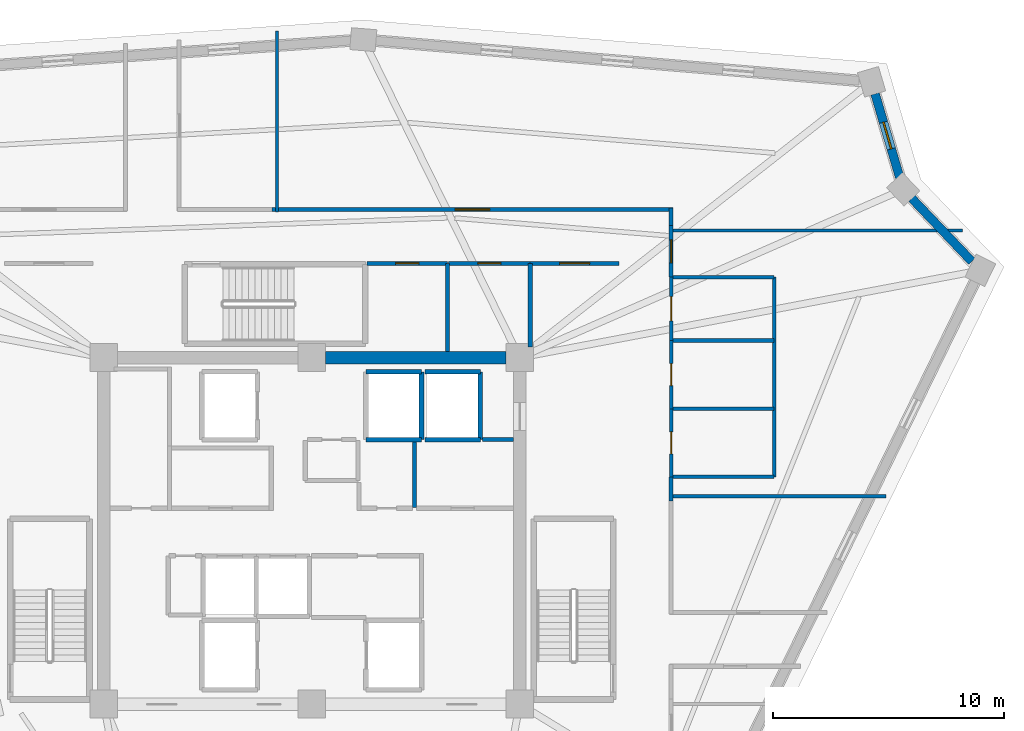
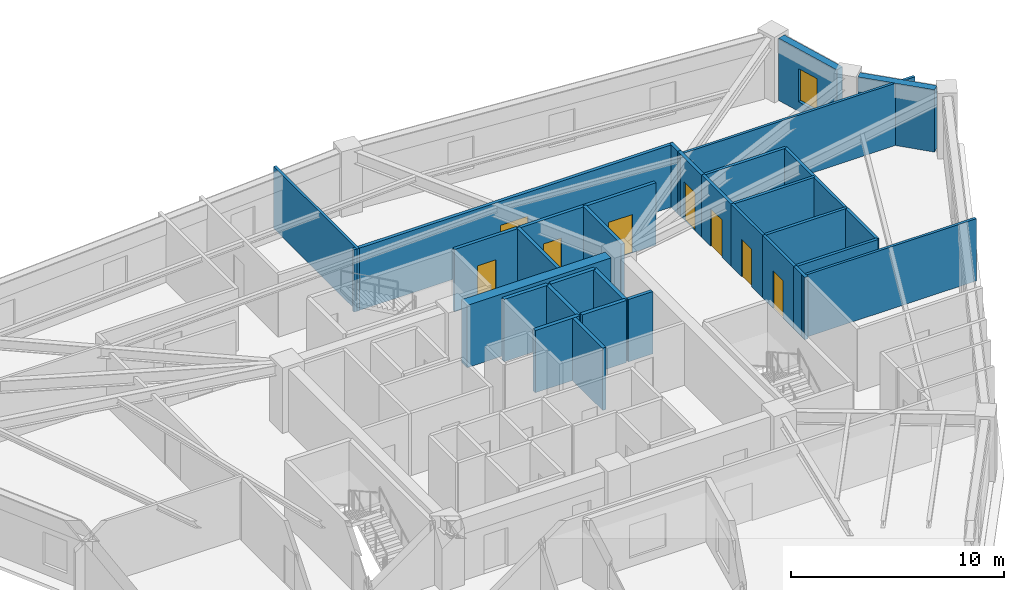
# One storey, part 6 of 10: 31 walls, 8 doors, 1 window, 9 openings.
"""IFC4 building model written with IfcOpenShell, lengths in metres."""

from ifc_helpers import new_model, si_unit, direction, frame, frame_2d, origin, place, context, subcontext, project, spatial, rectangle, extrude, source, transform, mapped, material, layer, layer_set, type_object, element, fill, save


model = new_model("IFC4")

# Units and contexts
model_context = context("Model", 3, precision=1e-05, world=origin(), true_north=direction((0.0, 1.0)))
body_context = subcontext(model_context, "Body", "Model", "MODEL_VIEW")
ifc_project = project(units=[si_unit("LENGTHUNIT", "METRE"), si_unit("AREAUNIT", "SQUARE_METRE"), si_unit("VOLUMEUNIT", "CUBIC_METRE"), si_unit("PLANEANGLEUNIT", "RADIAN"), si_unit("MASSUNIT", "GRAM", prefix="KILO")], contexts=[model_context])

# Site, building, storey
site_placement = place(None, origin())
site = spatial("IfcSite", under=ifc_project, at=site_placement, CompositionType="ELEMENT")
building_placement = place(site_placement, origin())
building = spatial("IfcBuilding", under=site, at=building_placement, Name="Liaohun Quay Tower", CompositionType="ELEMENT")
storey_placement = place(building_placement, frame((0.0, 0.0, 339.75)))
storey = spatial("IfcBuildingStorey", under=building, at=storey_placement, Name="L88", CompositionType="ELEMENT", Elevation=339.75)

# Walls
ifc_material_1 = material(Name="Concrete C50", Category="concrete")
ifc_layer_1 = layer(ifc_material_1, 0.550048828125, Name="Concrete C50", Category="concrete")
ifc_layer_set_1 = layer_set([ifc_layer_1], Name="Concrete C50")
wall_type_1 = type_object("IfcWallType", Name="WAL-COR-Z4", PredefinedType="SHEAR", material=ifc_layer_set_1)
wall_1_placement = place(storey_placement, frame((60.60009765625, 61.5, 0.0), z_axis=(0.0, 0.0, 1.0), x_axis=(1.0, 0.0, 0.0)))
element("IfcWall", 1, at=wall_1_placement, inside=storey, type_object=wall_type_1, Name="L88 Central Core Shear Wall N-E", PredefinedType="SHEAR", context=body_context, shape_type="SweptSolid", body=[
    extrude(rectangle(XDim=7.7998046875, YDim=0.550048828125, at=frame_2d((3.89990234375, 0.0))), origin(), (0.0, 0.0, 1.0), 3.570068359375),
])
ifc_material_2 = material(Name="Precast concrete C50 insulated sandwich", Category="concrete")
ifc_layer_2 = layer(ifc_material_2, 0.3798828125, Name="Precast concrete C50 insulated sandwich", Category="concrete")
ifc_layer_set_2 = layer_set([ifc_layer_2], Name="Precast concrete C50 insulated sandwich")
wall_type_2 = type_object("IfcWallType", Name="WAL-EXT-Z34", PredefinedType="SOLIDWALL", material=ifc_layer_set_2)
wall_2_placement = place(storey_placement, frame((88.573974609375, 65.6669921875, 0.0), z_axis=(0.0, 0.0, 1.0), x_axis=(-0.689475358223, 0.72430914008, 0.0)))
element("IfcWall", 2, at=wall_2_placement, inside=storey, type_object=wall_type_2, Name="L88 Brutalist Precast Pier Wall 04", PredefinedType="SOLIDWALL", context=body_context, shape_type="SweptSolid", body=[
    extrude(rectangle(XDim=3.763671875, YDim=0.3798828125, at=frame_2d((1.8818359375, 0.0))), origin(), (0.0, 0.0, 1.0), 3.570068359375),
])

# Wall, opening, window
wall_3_placement = place(storey_placement, frame((85.4541015625, 69.302001953125, 0.0), z_axis=(0.0, 0.0, 1.0), x_axis=(-0.282670922676, 0.95921694599, 0.0)))
wall_3 = element("IfcWall", 3, at=wall_3_placement, inside=storey, type_object=wall_type_2, Name="L88 Brutalist Precast Pier Wall 05", PredefinedType="SOLIDWALL", context=body_context, shape_type="SweptSolid", body=[
    extrude(rectangle(XDim=3.771728515625, YDim=0.3798828125, at=frame_2d((1.8857421875, 0.0))), origin(), (0.0, 0.0, 1.0), 3.570068359375),
])
shared_shape_1 = source(origin(), body_context, "Body", "SweptSolid", [
    extrude(rectangle(XDim=1.199951171875, YDim=1.89990234375, at=frame_2d((0.60009765625, 0.949951171875))), frame((0.0, 0.199951171875, 0.0), z_axis=(0.0, -1.0, 0.0), x_axis=(1.0, 0.0, 0.0)), (0.0, 0.0, 1.0), 0.39990234375),
])
opening_1_placement = place(wall_3_placement, frame((1.285888671875, 0.0, 0.550048828125)))
opening_1 = element("IfcOpeningElement", 4, at=opening_1_placement, cuts=wall_3, Name="Opening W05", PredefinedType="OPENING", context=body_context, shape_type="MappedRepresentation", body=[
    mapped(shared_shape_1, transform((0.0, 0.0, 0.0), x_axis=(1.0, 0.0, 0.0), y_axis=(0.0, 1.0, 0.0), z_axis=(0.0, 0.0, 1.0), scale=1.0)),
])
ifc_material_3 = material(Name="Triple Low-E corner notch glazing", Category="glass")
window_type = type_object("IfcWindowType", Name="WIN-NOTCH", PartitioningType="SINGLE_PANEL", PredefinedType="WINDOW", material=ifc_material_3)
shared_shape_2 = source(origin(), body_context, "Body", "SweptSolid", [
    extrude(rectangle(XDim=1.199951171875, YDim=1.89990234375, at=frame_2d((0.60009765625, 0.949951171875))), frame((0.0, 0.030029296875, 0.0), z_axis=(0.0, -1.0, 0.0), x_axis=(1.0, 0.0, 0.0)), (0.0, 0.0, 1.0), 0.06005859375),
])
window_placement = place(opening_1_placement, origin())
window = element("IfcWindow", 5, at=window_placement, inside=storey, type_object=window_type, Name="L88 Corner Notch Window W05-05", OverallHeight=1.89990234375, OverallWidth=1.199951171875, PartitioningType="SINGLE_PANEL", PredefinedType="WINDOW", context=body_context, shape_type="MappedRepresentation", body=[
    mapped(shared_shape_2, transform((0.0, 0.0, 0.0), x_axis=(1.0, 0.0, 0.0), y_axis=(0.0, 1.0, 0.0), z_axis=(0.0, 0.0, 1.0), scale=1.0)),
])
fill(opening_1, window)

# Wall, opening, door
ifc_material_4 = material(Name="Autoclaved aerated concrete blockwork", Category="masonry")
ifc_layer_3 = layer(ifc_material_4, 0.179931640625, Name="Autoclaved aerated concrete blockwork", Category="masonry")
ifc_layer_set_3 = layer_set([ifc_layer_3], Name="Autoclaved aerated concrete blockwork")
wall_type_3 = type_object("IfcWallType", Name="WAL-PRT-COR", PredefinedType="PARTITIONING", material=ifc_layer_set_3)
wall_4_placement = place(storey_placement, frame((62.389892578125, 65.580078125, 0.0), z_axis=(0.0, 0.0, 1.0), x_axis=(1.0, 0.0, 0.0)))
wall_4 = element("IfcWall", 6, at=wall_4_placement, inside=storey, type_object=wall_type_3, Name="L88 Interior Partition Wall 011", PredefinedType="PARTITIONING", context=body_context, shape_type="SweptSolid", body=[
    extrude(rectangle(XDim=3.489990234375, YDim=0.179931640625, at=frame_2d((1.7451171875, 0.0))), origin(), (0.0, 0.0, 1.0), 3.570068359375),
])
shared_shape_3 = source(origin(), body_context, "Body", "SweptSolid", [
    extrude(rectangle(XDim=1.0, YDim=2.199951171875, at=frame_2d((0.5, 1.10009765625))), frame((0.0, 0.099853515625, 0.0), z_axis=(0.0, -1.0, 0.0), x_axis=(1.0, 0.0, 0.0)), (0.0, 0.0, 1.0), 0.199951171875),
])
opening_2_placement = place(wall_4_placement, frame((1.2451171875, 0.0, 0.0)))
opening_2 = element("IfcOpeningElement", 7, at=opening_2_placement, cuts=wall_4, Name="Opening OD1", PredefinedType="OPENING", context=body_context, shape_type="MappedRepresentation", body=[
    mapped(shared_shape_3, transform((0.0, 0.0, 0.0), x_axis=(1.0, 0.0, 0.0), y_axis=(0.0, 1.0, 0.0), z_axis=(0.0, 0.0, 1.0), scale=1.0)),
])
ifc_material_5 = material(Name="Solid-core oak veneer timber leaf in steel frame", Category="steel")
door_type_1 = type_object("IfcDoorType", Name="DOR-OFF-1000", OperationType="NOTDEFINED", PredefinedType="DOOR", material=ifc_material_5)
shared_shape_4 = source(origin(), body_context, "Body", "SweptSolid", [
    extrude(rectangle(XDim=1.0, YDim=2.199951171875, at=frame_2d((0.5, 1.10009765625))), frame((0.0, 0.02490234375, 0.0), z_axis=(0.0, -1.0, 0.0), x_axis=(1.0, 0.0, 0.0)), (0.0, 0.0, 1.0), 0.050048828125),
])
door_1_placement = place(opening_2_placement, origin())
door_1 = element("IfcDoor", 8, at=door_1_placement, inside=storey, type_object=door_type_1, Name="L88 North-East Archive Store Door", OperationType="SINGLE_SWING_RIGHT", OverallHeight=2.199951171875, OverallWidth=1.0, PredefinedType="DOOR", context=body_context, shape_type="MappedRepresentation", body=[
    mapped(shared_shape_4, transform((0.0, 0.0, 0.0), x_axis=(1.0, 0.0, 0.0), y_axis=(0.0, 1.0, 0.0), z_axis=(0.0, 0.0, 1.0), scale=1.0)),
])
fill(opening_2, door_1)

wall_5_placement = place(storey_placement, frame((65.919921875, 65.580078125, 0.0), z_axis=(0.0, 0.0, 1.0), x_axis=(1.0, 0.0, 0.0)))
wall_5 = element("IfcWall", 9, at=wall_5_placement, inside=storey, type_object=wall_type_3, Name="L88 Interior Partition Wall 012", PredefinedType="PARTITIONING", context=body_context, shape_type="SweptSolid", body=[
    extrude(rectangle(XDim=3.5400390625, YDim=0.179931640625, at=frame_2d((1.77001953125, 0.0))), origin(), (0.0, 0.0, 1.0), 3.570068359375),
])
opening_3_placement = place(wall_5_placement, frame((1.27001953125, 0.0, 0.0)))
opening_3 = element("IfcOpeningElement", 10, at=opening_3_placement, cuts=wall_5, Name="Opening OD1", PredefinedType="OPENING", context=body_context, shape_type="MappedRepresentation", body=[
    mapped(shared_shape_3, transform((0.0, 0.0, 0.0), x_axis=(1.0, 0.0, 0.0), y_axis=(0.0, 1.0, 0.0), z_axis=(0.0, 0.0, 1.0), scale=1.0)),
])
door_2_placement = place(opening_3_placement, origin())
door_2 = element("IfcDoor", 11, at=door_2_placement, inside=storey, type_object=door_type_1, Name="L88 North-East Pantry Room Door", OperationType="SINGLE_SWING_LEFT", OverallHeight=2.199951171875, OverallWidth=1.0, PredefinedType="DOOR", context=body_context, shape_type="MappedRepresentation", body=[
    mapped(shared_shape_4, transform((0.0, 0.0, 0.0), x_axis=(1.0, 0.0, 0.0), y_axis=(0.0, 1.0, 0.0), z_axis=(0.0, 0.0, 1.0), scale=1.0)),
])
fill(opening_3, door_2)

wall_6_placement = place(storey_placement, frame((69.4599609375, 65.580078125, 0.0), z_axis=(0.0, 0.0, 1.0), x_axis=(1.0, 0.0, 0.0)))
wall_6 = element("IfcWall", 12, at=wall_6_placement, inside=storey, type_object=wall_type_3, Name="L88 Interior Partition Wall 014", PredefinedType="PARTITIONING", context=body_context, shape_type="SweptSolid", body=[
    extrude(rectangle(XDim=3.840087890625, YDim=0.179931640625, at=frame_2d((1.919921875, 0.0))), origin(), (0.0, 0.0, 1.0), 3.570068359375),
])
shared_shape_5 = source(origin(), body_context, "Body", "SweptSolid", [
    extrude(rectangle(XDim=1.300048828125, YDim=2.199951171875, at=frame_2d((0.64990234375, 1.10009765625))), frame((0.0, 0.099853515625, 0.0), z_axis=(0.0, -1.0, 0.0), x_axis=(1.0, 0.0, 0.0)), (0.0, 0.0, 1.0), 0.199951171875),
])
opening_4_placement = place(wall_6_placement, frame((1.27001953125, 0.0, 0.0)))
opening_4 = element("IfcOpeningElement", 13, at=opening_4_placement, cuts=wall_6, Name="Opening FD1", PredefinedType="OPENING", context=body_context, shape_type="MappedRepresentation", body=[
    mapped(shared_shape_5, transform((0.0, 0.0, 0.0), x_axis=(1.0, 0.0, 0.0), y_axis=(0.0, 1.0, 0.0), z_axis=(0.0, 0.0, 1.0), scale=1.0)),
])
ifc_material_6 = material(Name="Galvanised steel smokeproof fire door", Category="steel")
door_type_2 = type_object("IfcDoorType", Name="DOR-FFL-1300", OperationType="NOTDEFINED", PredefinedType="DOOR", material=ifc_material_6)
shared_shape_6 = source(origin(), body_context, "Body", "SweptSolid", [
    extrude(rectangle(XDim=1.300048828125, YDim=2.199951171875, at=frame_2d((0.64990234375, 1.10009765625))), frame((0.0, 0.02490234375, 0.0), z_axis=(0.0, -1.0, 0.0), x_axis=(1.0, 0.0, 0.0)), (0.0, 0.0, 1.0), 0.050048828125),
])
door_3_placement = place(opening_4_placement, origin())
door_3 = element("IfcDoor", 14, at=door_3_placement, inside=storey, type_object=door_type_2, Name="L88 East Core Vestibule Door", OperationType="SINGLE_SWING_LEFT", OverallHeight=2.199951171875, OverallWidth=1.300048828125, PredefinedType="DOOR", context=body_context, shape_type="MappedRepresentation", body=[
    mapped(shared_shape_6, transform((0.0, 0.0, 0.0), x_axis=(1.0, 0.0, 0.0), y_axis=(0.0, 1.0, 0.0), z_axis=(0.0, 0.0, 1.0), scale=1.0)),
])
fill(opening_4, door_3)

wall_7_placement = place(storey_placement, frame((75.56005859375, 67.215087890625, 0.0), z_axis=(0.0, 0.0, 1.0), x_axis=(0.0, -1.0, 0.0)))
wall_7 = element("IfcWall", 15, at=wall_7_placement, inside=storey, type_object=wall_type_3, Name="L88 Interior Partition Wall 015", PredefinedType="PARTITIONING", context=body_context, shape_type="SweptSolid", body=[
    extrude(rectangle(XDim=2.235107421875, YDim=0.179931640625, at=frame_2d((1.11767578125, 0.0))), origin(), (0.0, 0.0, 1.0), 3.570068359375),
])
opening_5_placement = place(wall_7_placement, frame((0.616943359375, 0.0, 0.0)))
opening_5 = element("IfcOpeningElement", 16, at=opening_5_placement, cuts=wall_7, Name="Opening OD1", PredefinedType="OPENING", context=body_context, shape_type="MappedRepresentation", body=[
    mapped(shared_shape_3, transform((0.0, 0.0, 0.0), x_axis=(1.0, 0.0, 0.0), y_axis=(0.0, 1.0, 0.0), z_axis=(0.0, 0.0, 1.0), scale=1.0)),
])
door_4_placement = place(opening_5_placement, origin())
door_4 = element("IfcDoor", 17, at=door_4_placement, inside=storey, type_object=door_type_1, Name="L88 Client Collaboration Lounge 01 Door", OperationType="SINGLE_SWING_RIGHT", OverallHeight=2.199951171875, OverallWidth=1.0, PredefinedType="DOOR", context=body_context, shape_type="MappedRepresentation", body=[
    mapped(shared_shape_4, transform((0.0, 0.0, 0.0), x_axis=(1.0, 0.0, 0.0), y_axis=(0.0, 1.0, 0.0), z_axis=(0.0, 0.0, 1.0), scale=1.0)),
])
fill(opening_5, door_4)

wall_8_placement = place(storey_placement, frame((58.284912109375, 67.909912109375, 0.0), z_axis=(0.0, 0.0, 1.0), x_axis=(1.0, 0.0, 0.0)))
wall_8 = element("IfcWall", 18, at=wall_8_placement, inside=storey, type_object=wall_type_3, Name="L88 Interior Partition Wall 016", PredefinedType="PARTITIONING", context=body_context, shape_type="SweptSolid", body=[
    extrude(rectangle(XDim=17.344970703125, YDim=0.179931640625, at=frame_2d((8.67236328125, 0.0))), origin(), (0.0, 0.0, 1.0), 3.570068359375),
])
shared_shape_7 = source(origin(), body_context, "Body", "SweptSolid", [
    extrude(rectangle(XDim=1.5, YDim=2.199951171875, at=frame_2d((0.75, 1.10009765625))), frame((0.0, 0.099853515625, 0.0), z_axis=(0.0, -1.0, 0.0), x_axis=(1.0, 0.0, 0.0)), (0.0, 0.0, 1.0), 0.199951171875),
])
opening_6_placement = place(wall_8_placement, frame((7.922119140625, 0.0, 0.0)))
opening_6 = element("IfcOpeningElement", 19, at=opening_6_placement, cuts=wall_8, Name="Opening OD2", PredefinedType="OPENING", context=body_context, shape_type="MappedRepresentation", body=[
    mapped(shared_shape_7, transform((0.0, 0.0, 0.0), x_axis=(1.0, 0.0, 0.0), y_axis=(0.0, 1.0, 0.0), z_axis=(0.0, 0.0, 1.0), scale=1.0)),
])
ifc_material_7 = material(Name="Acoustic oak veneer double door")
door_type_3 = type_object("IfcDoorType", Name="DOR-OFF-1500", OperationType="DOUBLE_DOOR_SINGLE_SWING", PredefinedType="DOOR", material=ifc_material_7)
shared_shape_8 = source(origin(), body_context, "Body", "SweptSolid", [
    extrude(rectangle(XDim=1.5, YDim=2.199951171875, at=frame_2d((0.75, 1.10009765625))), frame((0.0, 0.02490234375, 0.0), z_axis=(0.0, -1.0, 0.0), x_axis=(1.0, 0.0, 0.0)), (0.0, 0.0, 1.0), 0.050048828125),
])
door_5_placement = place(opening_6_placement, origin())
door_5 = element("IfcDoor", 20, at=door_5_placement, inside=storey, type_object=door_type_3, Name="L88 Corporate Exhibition Gallery 02 Door", OperationType="DOUBLE_DOOR_SINGLE_SWING", OverallHeight=2.199951171875, OverallWidth=1.5, PredefinedType="DOOR", context=body_context, shape_type="MappedRepresentation", body=[
    mapped(shared_shape_8, transform((0.0, 0.0, 0.0), x_axis=(1.0, 0.0, 0.0), y_axis=(0.0, 1.0, 0.0), z_axis=(0.0, 0.0, 1.0), scale=1.0)),
])
fill(opening_6, door_5)

# Walls
wall_9_placement = place(storey_placement, frame((64.449951171875, 55.02001953125, 0.0), z_axis=(0.0, 0.0, 1.0), x_axis=(0.0, 1.0, 0.0)))
element("IfcWall", 21, at=wall_9_placement, inside=storey, type_object=wall_type_3, Name="L88 Interior Partition Wall 026", PredefinedType="PARTITIONING", context=body_context, shape_type="SweptSolid", body=[
    extrude(rectangle(XDim=2.85986328125, YDim=0.179931640625, at=frame_2d((1.429931640625, 0.0))), origin(), (0.0, 0.0, 1.0), 3.570068359375),
])
wall_10_placement = place(storey_placement, frame((65.8798828125, 61.77490234375, 0.0), z_axis=(0.0, 0.0, 1.0), x_axis=(0.0, 1.0, 0.0)))
element("IfcWall", 22, at=wall_10_placement, inside=storey, type_object=wall_type_3, Name="L88 Interior Partition Wall 037", PredefinedType="PARTITIONING", context=body_context, shape_type="SweptSolid", body=[
    extrude(rectangle(XDim=3.80517578125, YDim=0.179931640625, at=frame_2d((1.902587890625, 0.0))), origin(), (0.0, 0.0, 1.0), 3.570068359375),
])
wall_11_placement = place(storey_placement, frame((69.4599609375, 61.949951171875, 0.0), z_axis=(0.0, 0.0, 1.0), x_axis=(0.0, 1.0, 0.0)))
element("IfcWall", 23, at=wall_11_placement, inside=storey, type_object=wall_type_3, Name="L88 Interior Partition Wall 038", PredefinedType="PARTITIONING", context=body_context, shape_type="SweptSolid", body=[
    extrude(rectangle(XDim=3.630126953125, YDim=0.179931640625, at=frame_2d((1.81494140625, 0.0))), origin(), (0.0, 0.0, 1.0), 3.570068359375),
])
wall_12_placement = place(storey_placement, frame((75.56005859375, 56.340087890625, 0.0), z_axis=(0.0, 0.0, 1.0), x_axis=(0.0, -1.0, 0.0)))
element("IfcWall", 24, at=wall_12_placement, inside=storey, type_object=wall_type_3, Name="L88 Interior Partition Wall 039", PredefinedType="PARTITIONING", context=body_context, shape_type="SweptSolid", body=[
    extrude(rectangle(XDim=1.05517578125, YDim=0.179931640625, at=frame_2d((0.527587890625, 0.0))), origin(), (0.0, 0.0, 1.0), 3.570068359375),
])
wall_13_placement = place(storey_placement, frame((75.56005859375, 67.97998046875, 0.0), z_axis=(0.0, 0.0, 1.0), x_axis=(0.0, -1.0, 0.0)))
element("IfcWall", 25, at=wall_13_placement, inside=storey, type_object=wall_type_3, Name="L88 Interior Partition Wall 040", PredefinedType="PARTITIONING", context=body_context, shape_type="SweptSolid", body=[
    extrude(rectangle(XDim=0.764892578125, YDim=0.179931640625, at=frame_2d((0.38232421875, 0.0))), origin(), (0.0, 0.0, 1.0), 3.570068359375),
])
wall_14_placement = place(storey_placement, frame((67.39990234375, 57.949951171875, 0.0), z_axis=(0.0, 0.0, 1.0), x_axis=(1.0, 0.0, 0.0)))
element("IfcWall", 26, at=wall_14_placement, inside=storey, type_object=wall_type_3, Name="L88 Interior Partition Wall 066", PredefinedType="PARTITIONING", context=body_context, shape_type="SweptSolid", body=[
    extrude(rectangle(XDim=1.3251953125, YDim=0.179931640625, at=frame_2d((0.66259765625, 0.0))), origin(), (0.0, 0.0, 1.0), 3.570068359375),
])
ifc_material_8 = material(Name="Gypsum board on twin steel studs", Category="steel")
ifc_layer_4 = layer(ifc_material_8, 0.139892578125, Name="Gypsum board on twin steel studs", Category="steel")
ifc_layer_set_4 = layer_set([ifc_layer_4], Name="Gypsum board on twin steel studs")
wall_type_4 = type_object("IfcWallType", Name="WAL-PRT-OFF", PredefinedType="PARTITIONING", material=ifc_layer_set_4)
wall_15_placement = place(storey_placement, frame((75.4599609375, 55.5, 0.0), z_axis=(0.0, 0.0, 1.0), x_axis=(1.0, 0.0, 0.0)))
element("IfcWall", 27, at=wall_15_placement, inside=storey, type_object=wall_type_4, Name="L88 Interior Partition Wall 054", PredefinedType="PARTITIONING", context=body_context, shape_type="SweptSolid", body=[
    extrude(rectangle(XDim=9.41015625, YDim=0.139892578125, at=frame_2d((4.705078125, 0.0))), origin(), (0.0, 0.0, 1.0), 3.570068359375),
])
wall_16_placement = place(storey_placement, frame((75.4599609375, 67.0, 0.0), z_axis=(0.0, 0.0, 1.0), x_axis=(1.0, 0.0, 0.0)))
element("IfcWall", 28, at=wall_16_placement, inside=storey, type_object=wall_type_4, Name="L88 Interior Partition Wall 055", PredefinedType="PARTITIONING", context=body_context, shape_type="SweptSolid", body=[
    extrude(rectangle(XDim=12.715087890625, YDim=0.139892578125, at=frame_2d((6.357421875, 0.0))), origin(), (0.0, 0.0, 1.0), 3.570068359375),
])
wall_17_placement = place(storey_placement, frame((58.5, 67.81005859375, 0.0), z_axis=(0.0, 0.0, 1.0), x_axis=(0.0, 1.0, 0.0)))
element("IfcWall", 29, at=wall_17_placement, inside=storey, type_object=wall_type_4, Name="L88 Interior Partition Wall 056", PredefinedType="PARTITIONING", context=body_context, shape_type="SweptSolid", body=[
    extrude(rectangle(XDim=7.825927734375, YDim=0.139892578125, at=frame_2d((3.9130859375, 0.0))), origin(), (0.0, 0.0, 1.0), 3.570068359375),
])

# Wall, opening, door
ifc_material_9 = material(Name="Moisture-resistant masonry blockwork", Category="masonry")
ifc_layer_5 = layer(ifc_material_9, 0.159912109375, Name="Moisture-resistant masonry blockwork", Category="masonry")
ifc_layer_set_5 = layer_set([ifc_layer_5], Name="Moisture-resistant masonry blockwork")
wall_type_5 = type_object("IfcWallType", Name="WAL-PRT-WET", PredefinedType="PARTITIONING", material=ifc_layer_set_5)
wall_18_placement = place(storey_placement, frame((75.56005859375, 56.340087890625, 0.0), z_axis=(0.0, 0.0, 1.0), x_axis=(0.0, 1.0, 0.0)))
wall_18 = element("IfcWall", 30, at=wall_18_placement, inside=storey, type_object=wall_type_5, Name="L88 Interior Partition Wall 008", PredefinedType="PARTITIONING", context=body_context, shape_type="SweptSolid", body=[
    extrude(rectangle(XDim=2.93994140625, YDim=0.159912109375, at=frame_2d((1.469970703125, 0.0))), origin(), (0.0, 0.0, 1.0), 3.570068359375),
])
shared_shape_9 = source(origin(), body_context, "Body", "SweptSolid", [
    extrude(rectangle(XDim=0.949951171875, YDim=2.14990234375, at=frame_2d((0.47509765625, 1.074951171875))), frame((0.0, 0.08984375, 0.0), z_axis=(0.0, -1.0, 0.0), x_axis=(1.0, 0.0, 0.0)), (0.0, 0.0, 1.0), 0.179931640625),
])
opening_7_placement = place(wall_18_placement, frame((0.9951171875, 0.0, 0.0)))
opening_7 = element("IfcOpeningElement", 31, at=opening_7_placement, cuts=wall_18, Name="Opening WD1", PredefinedType="OPENING", context=body_context, shape_type="MappedRepresentation", body=[
    mapped(shared_shape_9, transform((0.0, 0.0, 0.0), x_axis=(1.0, 0.0, 0.0), y_axis=(0.0, 1.0, 0.0), z_axis=(0.0, 0.0, 1.0), scale=1.0)),
])
ifc_material_10 = material(Name="Moisture-resistant laminate timber leaf", Category="wood")
door_type_4 = type_object("IfcDoorType", Name="DOR-WC-950", OperationType="NOTDEFINED", PredefinedType="DOOR", material=ifc_material_10)
shared_shape_10 = source(origin(), body_context, "Body", "SweptSolid", [
    extrude(rectangle(XDim=0.949951171875, YDim=2.14990234375, at=frame_2d((0.47509765625, 1.074951171875))), frame((0.0, 0.02490234375, 0.0), z_axis=(0.0, -1.0, 0.0), x_axis=(1.0, 0.0, 0.0)), (0.0, 0.0, 1.0), 0.050048828125),
])
door_6_placement = place(opening_7_placement, origin())
door_6 = element("IfcDoor", 32, at=door_6_placement, inside=storey, type_object=door_type_4, Name="L88 Male Restroom WC Door", OperationType="SINGLE_SWING_LEFT", OverallHeight=2.14990234375, OverallWidth=0.949951171875, PredefinedType="DOOR", context=body_context, shape_type="MappedRepresentation", body=[
    mapped(shared_shape_10, transform((0.0, 0.0, 0.0), x_axis=(1.0, 0.0, 0.0), y_axis=(0.0, 1.0, 0.0), z_axis=(0.0, 0.0, 1.0), scale=1.0)),
])
fill(opening_7, door_6)

wall_19_placement = place(storey_placement, frame((75.56005859375, 59.280029296875, 0.0), z_axis=(0.0, 0.0, 1.0), x_axis=(0.0, 1.0, 0.0)))
wall_19 = element("IfcWall", 33, at=wall_19_placement, inside=storey, type_object=wall_type_5, Name="L88 Interior Partition Wall 009", PredefinedType="PARTITIONING", context=body_context, shape_type="SweptSolid", body=[
    extrude(rectangle(XDim=2.9599609375, YDim=0.159912109375, at=frame_2d((1.47998046875, 0.0))), origin(), (0.0, 0.0, 1.0), 3.570068359375),
])
opening_8_placement = place(wall_19_placement, frame((1.0048828125, 0.0, 0.0)))
opening_8 = element("IfcOpeningElement", 34, at=opening_8_placement, cuts=wall_19, Name="Opening WD1", PredefinedType="OPENING", context=body_context, shape_type="MappedRepresentation", body=[
    mapped(shared_shape_9, transform((0.0, 0.0, 0.0), x_axis=(1.0, 0.0, 0.0), y_axis=(0.0, 1.0, 0.0), z_axis=(0.0, 0.0, 1.0), scale=1.0)),
])
door_7_placement = place(opening_8_placement, origin())
door_7 = element("IfcDoor", 35, at=door_7_placement, inside=storey, type_object=door_type_4, Name="L88 Female Restroom WC Door", OperationType="SINGLE_SWING_RIGHT", OverallHeight=2.14990234375, OverallWidth=0.949951171875, PredefinedType="DOOR", context=body_context, shape_type="MappedRepresentation", body=[
    mapped(shared_shape_10, transform((0.0, 0.0, 0.0), x_axis=(1.0, 0.0, 0.0), y_axis=(0.0, 1.0, 0.0), z_axis=(0.0, 0.0, 1.0), scale=1.0)),
])
fill(opening_8, door_7)

wall_20_placement = place(storey_placement, frame((75.56005859375, 62.239990234375, 0.0), z_axis=(0.0, 0.0, 1.0), x_axis=(0.0, 1.0, 0.0)))
wall_20 = element("IfcWall", 36, at=wall_20_placement, inside=storey, type_object=wall_type_5, Name="L88 Interior Partition Wall 010", PredefinedType="PARTITIONING", context=body_context, shape_type="SweptSolid", body=[
    extrude(rectangle(XDim=2.739990234375, YDim=0.159912109375, at=frame_2d((1.3701171875, 0.0))), origin(), (0.0, 0.0, 1.0), 3.570068359375),
])
shared_shape_11 = source(origin(), body_context, "Body", "SweptSolid", [
    extrude(rectangle(XDim=1.050048828125, YDim=2.14990234375, at=frame_2d((0.52490234375, 1.074951171875))), frame((0.0, 0.08984375, 0.0), z_axis=(0.0, -1.0, 0.0), x_axis=(1.0, 0.0, 0.0)), (0.0, 0.0, 1.0), 0.179931640625),
])
opening_9_placement = place(wall_20_placement, frame((0.844970703125, 0.0, 0.0)))
opening_9 = element("IfcOpeningElement", 37, at=opening_9_placement, cuts=wall_20, Name="Opening WD2", PredefinedType="OPENING", context=body_context, shape_type="MappedRepresentation", body=[
    mapped(shared_shape_11, transform((0.0, 0.0, 0.0), x_axis=(1.0, 0.0, 0.0), y_axis=(0.0, 1.0, 0.0), z_axis=(0.0, 0.0, 1.0), scale=1.0)),
])
ifc_material_11 = material(Name="Accessible outward-swinging laminate door")
door_type_5 = type_object("IfcDoorType", Name="DOR-AWC-1050", OperationType="NOTDEFINED", PredefinedType="DOOR", material=ifc_material_11)
shared_shape_12 = source(origin(), body_context, "Body", "SweptSolid", [
    extrude(rectangle(XDim=1.050048828125, YDim=2.14990234375, at=frame_2d((0.52490234375, 1.074951171875))), frame((0.0, 0.02490234375, 0.0), z_axis=(0.0, -1.0, 0.0), x_axis=(1.0, 0.0, 0.0)), (0.0, 0.0, 1.0), 0.050048828125),
])
door_8_placement = place(opening_9_placement, origin())
door_8 = element("IfcDoor", 38, at=door_8_placement, inside=storey, type_object=door_type_5, Name="L88 Accessible WC Door", OperationType="SINGLE_SWING_LEFT", OverallHeight=2.14990234375, OverallWidth=1.050048828125, PredefinedType="DOOR", context=body_context, shape_type="MappedRepresentation", body=[
    mapped(shared_shape_12, transform((0.0, 0.0, 0.0), x_axis=(1.0, 0.0, 0.0), y_axis=(0.0, 1.0, 0.0), z_axis=(0.0, 0.0, 1.0), scale=1.0)),
])
fill(opening_9, door_8)

# Walls
wall_21_placement = place(storey_placement, frame((80.02001953125, 56.340087890625, 0.0), z_axis=(0.0, 0.0, 1.0), x_axis=(0.0, 1.0, 0.0)))
element("IfcWall", 39, at=wall_21_placement, inside=storey, type_object=wall_type_5, Name="L88 Interior Partition Wall 032", PredefinedType="PARTITIONING", context=body_context, shape_type="SweptSolid", body=[
    extrude(rectangle(XDim=8.639892578125, YDim=0.159912109375, at=frame_2d((4.31982421875, 0.0))), origin(), (0.0, 0.0, 1.0), 3.570068359375),
])
for number, where, z_axis, x_axis, name in (
    (40, (75.56005859375, 56.340087890625, 0.0), (0.0, 0.0, 1.0), (1.0, 0.0, 0.0), "L88 Interior Partition Wall 033"),
    (41, (75.56005859375, 59.280029296875, 0.0), (0.0, 0.0, 1.0), (1.0, 0.0, 0.0), "L88 Interior Partition Wall 034"),
    (42, (75.56005859375, 62.239990234375, 0.0), (0.0, 0.0, 1.0), (1.0, 0.0, 0.0), "L88 Interior Partition Wall 035"),
    (43, (75.56005859375, 64.97998046875, 0.0), (0.0, 0.0, 1.0), (1.0, 0.0, 0.0), "L88 Interior Partition Wall 036"),
):
    element("IfcWall", number, at=place(storey_placement, frame(where, z_axis=z_axis, x_axis=x_axis)), inside=storey, type_object=wall_type_5, Name=name, PredefinedType="PARTITIONING", context=body_context, shape_type="SweptSolid", body=[
        extrude(rectangle(XDim=4.4599609375, YDim=0.159912109375, at=frame_2d((2.22998046875, 0.0))), origin(), (0.0, 0.0, 1.0), 3.570068359375),
    ])
ifc_layer_6 = layer(ifc_material_1, 0.239990234375, Name="Concrete C50", Category="concrete")
ifc_layer_set_6 = layer_set([ifc_layer_6], Name="Concrete C50")
wall_type_6 = type_object("IfcWallType", Name="WAL-SHF-200", PredefinedType="SOLIDWALL", material=ifc_layer_set_6)
wall_22_placement = place(storey_placement, frame((62.35009765625, 57.949951171875, 0.0), z_axis=(0.0, 0.0, 1.0), x_axis=(1.0, 0.0, 0.0)))
element("IfcWall", 44, at=wall_22_placement, inside=storey, type_object=wall_type_6, Name="L88 Lift OB-01 Hoistway Wall S", PredefinedType="SOLIDWALL", context=body_context, shape_type="SweptSolid", body=[
    extrude(rectangle(XDim=2.39990234375, YDim=0.199951171875, at=frame_2d((1.199951171875, 0.0))), origin(), (0.0, 0.0, 1.0), 3.570068359375),
])
wall_23_placement = place(storey_placement, frame((64.75, 57.949951171875, 0.0), z_axis=(0.0, 0.0, 1.0), x_axis=(0.0, 1.0, 0.0)))
element("IfcWall", 45, at=wall_23_placement, inside=storey, type_object=wall_type_6, Name="L88 Lift OB-01 Hoistway Wall E", PredefinedType="SOLIDWALL", context=body_context, shape_type="SweptSolid", body=[
    extrude(rectangle(XDim=2.929931640625, YDim=0.199951171875, at=frame_2d((1.46484375, 0.0))), origin(), (0.0, 0.0, 1.0), 3.570068359375),
])
wall_24_placement = place(storey_placement, frame((64.75, 60.8798828125, 0.0), z_axis=(0.0, 0.0, 1.0), x_axis=(-1.0, 0.0, 0.0)))
element("IfcWall", 46, at=wall_24_placement, inside=storey, type_object=wall_type_6, Name="L88 Lift OB-01 Hoistway Wall N", PredefinedType="SOLIDWALL", context=body_context, shape_type="SweptSolid", body=[
    extrude(rectangle(XDim=2.39990234375, YDim=0.199951171875, at=frame_2d((1.199951171875, 0.0))), origin(), (0.0, 0.0, 1.0), 3.570068359375),
])
wall_25_placement = place(storey_placement, frame((64.89990234375, 57.949951171875, 0.0), z_axis=(0.0, 0.0, 1.0), x_axis=(1.0, 0.0, 0.0)))
element("IfcWall", 47, at=wall_25_placement, inside=storey, type_object=wall_type_6, Name="L88 Lift OB-02 Hoistway Wall S", PredefinedType="SOLIDWALL", context=body_context, shape_type="SweptSolid", body=[
    extrude(rectangle(XDim=2.400146484375, YDim=0.199951171875, at=frame_2d((1.2001953125, 0.0))), origin(), (0.0, 0.0, 1.0), 3.570068359375),
])
wall_26_placement = place(storey_placement, frame((67.300048828125, 57.949951171875, 0.0), z_axis=(0.0, 0.0, 1.0), x_axis=(0.0, 1.0, 0.0)))
element("IfcWall", 48, at=wall_26_placement, inside=storey, type_object=wall_type_6, Name="L88 Lift OB-02 Hoistway Wall E", PredefinedType="SOLIDWALL", context=body_context, shape_type="SweptSolid", body=[
    extrude(rectangle(XDim=2.929931640625, YDim=0.199951171875, at=frame_2d((1.46484375, 0.0))), origin(), (0.0, 0.0, 1.0), 3.570068359375),
])
wall_27_placement = place(storey_placement, frame((67.300048828125, 60.8798828125, 0.0), z_axis=(0.0, 0.0, 1.0), x_axis=(-1.0, 0.0, 0.0)))
element("IfcWall", 49, at=wall_27_placement, inside=storey, type_object=wall_type_6, Name="L88 Lift OB-02 Hoistway Wall N", PredefinedType="SOLIDWALL", context=body_context, shape_type="SweptSolid", body=[
    extrude(rectangle(XDim=2.400146484375, YDim=0.199951171875, at=frame_2d((1.2001953125, 0.0))), origin(), (0.0, 0.0, 1.0), 3.570068359375),
])

save(model, "model.ifc")
